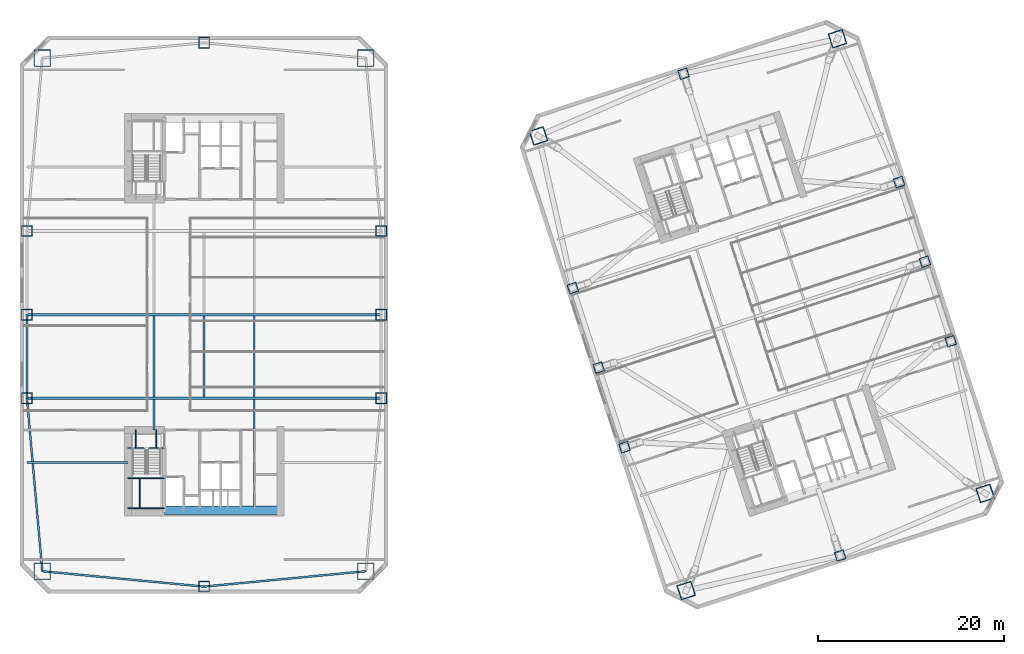
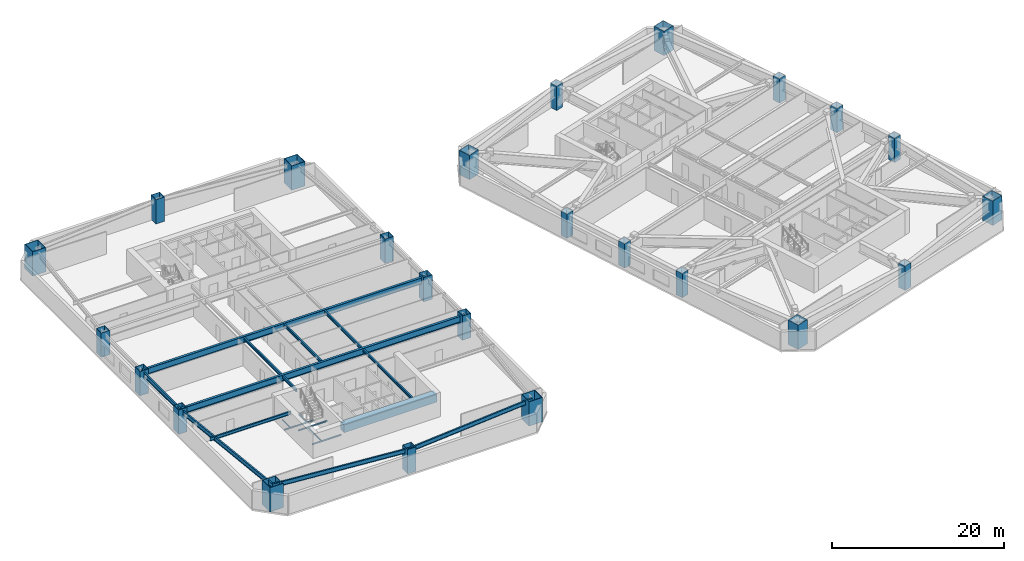
# One storey, part 1 of 18: 24 columns, 19 beams.
"""IFC4 building model written with IfcOpenShell, lengths in metres."""

from ifc_helpers import new_model, si_unit, direction, frame, origin, origin_2d, place, context, subcontext, project, spatial, rectangle, hollow_rectangle, i_section, extrude, material, material_profile, profile_set, type_object, element, save


model = new_model("IFC4")

# Units and contexts
model_context = context("Model", 3, precision=1e-05, world=origin(), true_north=direction((0.0, 1.0)))
body_context = subcontext(model_context, "Body", "Model", "MODEL_VIEW")
ifc_project = project(units=[si_unit("LENGTHUNIT", "METRE"), si_unit("AREAUNIT", "SQUARE_METRE"), si_unit("VOLUMEUNIT", "CUBIC_METRE"), si_unit("PLANEANGLEUNIT", "RADIAN"), si_unit("MASSUNIT", "GRAM", prefix="KILO")], contexts=[model_context])

# Site, building, storey
site_placement = place(None, origin())
site = spatial("IfcSite", under=ifc_project, at=site_placement, CompositionType="ELEMENT")
building_placement = place(site_placement, origin())
building = spatial("IfcBuilding", under=site, at=building_placement, Name="Qiaolan Cultural Towers", CompositionType="ELEMENT")
storey_placement = place(building_placement, frame((0.0, 0.0, 74.75)))
storey = spatial("IfcBuildingStorey", under=building, at=storey_placement, Name="L18", CompositionType="ELEMENT", Elevation=74.75)

# Columns
ifc_material_1 = material(Name="Steel Q355B", Category="steel")
ifc_material_profile_1 = material_profile(ifc_material_1, hollow_rectangle(XDim=1.0, YDim=1.0, WallThickness=0.035888671875, at=origin_2d()), Name="BOX1000x1000x36")
ifc_profile_set_1 = profile_set([ifc_material_profile_1], Name="Steel Q355B")
column_type_1 = type_object("IfcColumnType", Name="COL-BOX1000x1000x36", PredefinedType="COLUMN", material=ifc_profile_set_1)
for number, where, z_axis, x_axis, name in (
    (1, (75.234130859375, 19.739013671875, 0.0), (0.0, 0.0, 1.0), (0.951056516295, 0.309016994375, 0.0), "L18 T2 Perimeter Column PC-W1"),
    (2, (72.453125, 28.298583984375, 0.0), (0.0, 0.0, 1.0), (0.951056516295, 0.309016994375, 0.0), "L18 T2 Perimeter Column PC-W2"),
    (3, (69.671875, 36.858154296875, 0.0), (0.0, 0.0, 1.0), (0.951056516295, 0.309016994375, 0.0), "L18 T2 Perimeter Column PC-W3"),
    (4, (110.328125, 31.141845703125, 0.0), (0.0, 0.0, 1.0), (0.951056516295, 0.309016994375, 0.0), "L18 T2 Perimeter Column PC-E1"),
    (5, (107.546875, 39.701416015625, 0.0), (0.0, 0.0, 1.0), (0.951056516295, 0.309016994375, 0.0), "L18 T2 Perimeter Column PC-E2"),
    (6, (104.765869140625, 48.260986328125, 0.0), (0.0, 0.0, 1.0), (0.951056516295, 0.309016994375, 0.0), "L18 T2 Perimeter Column PC-E3"),
    (7, (98.420654296875, 8.083740234375, 0.0), (0.0, 0.0, 1.0), (0.951056516295, 0.309016994375, 0.0), "L18 T2 Perimeter Column PC-S0"),
    (8, (81.579345703125, 59.916259765625, 0.0), (0.0, 0.0, 1.0), (0.951056516295, 0.309016994375, 0.0), "L18 T2 Perimeter Column PC-N0"),
):
    element("IfcColumn", number, at=place(storey_placement, frame(where, z_axis=z_axis, x_axis=x_axis)), inside=storey, type_object=column_type_1, Name=name, PredefinedType="COLUMN", context=body_context, shape_type="SweptSolid", body=[
        extrude(hollow_rectangle(XDim=1.0, YDim=1.0, WallThickness=0.035888671875, at=origin_2d()), origin(), (0.0, 0.0, 1.0), 3.450927734375),
    ])
ifc_material_2 = material(Name="Steel Q390GJB", Category="steel")
ifc_material_profile_2 = material_profile(ifc_material_2, hollow_rectangle(XDim=1.14990234375, YDim=1.14990234375, WallThickness=0.0400390625, at=origin_2d()), Name="BOX1150x1150x40")
ifc_profile_set_2 = profile_set([ifc_material_profile_2], Name="Steel Q390GJB")
column_type_2 = type_object("IfcColumnType", Name="COL-BOX1150x1150x40", PredefinedType="COLUMN", material=ifc_profile_set_2)
for number, where, z_axis, x_axis, name in (
    (9, (10.949951171875, 25.0, 0.0), (0.0, 0.0, 1.0), (1.0, 0.0, 0.0), "L18 T1 Perimeter Column PC-W1"),
    (10, (10.949951171875, 34.0, 0.0), (0.0, 0.0, 1.0), (1.0, 0.0, 0.0), "L18 T1 Perimeter Column PC-W2"),
    (11, (10.949951171875, 43.0, 0.0), (0.0, 0.0, 1.0), (1.0, 0.0, 0.0), "L18 T1 Perimeter Column PC-W3"),
    (12, (49.050048828125, 25.0, 0.0), (0.0, 0.0, 1.0), (1.0, 0.0, 0.0), "L18 T1 Perimeter Column PC-E1"),
    (13, (49.050048828125, 34.0, 0.0), (0.0, 0.0, 1.0), (1.0, 0.0, 0.0), "L18 T1 Perimeter Column PC-E2"),
    (14, (49.050048828125, 43.0, 0.0), (0.0, 0.0, 1.0), (1.0, 0.0, 0.0), "L18 T1 Perimeter Column PC-E3"),
    (15, (30.0, 4.75, 0.0), (0.0, 0.0, 1.0), (1.0, 0.0, 0.0), "L18 T1 Perimeter Column PC-S0"),
    (16, (30.0, 63.25, 0.0), (0.0, 0.0, 1.0), (1.0, 0.0, 0.0), "L18 T1 Perimeter Column PC-N0"),
):
    element("IfcColumn", number, at=place(storey_placement, frame(where, z_axis=z_axis, x_axis=x_axis)), inside=storey, type_object=column_type_2, Name=name, PredefinedType="COLUMN", context=body_context, shape_type="SweptSolid", body=[
        extrude(hollow_rectangle(XDim=1.14990234375, YDim=1.14990234375, WallThickness=0.0400390625, at=origin_2d()), origin(), (0.0, 0.0, 1.0), 3.450927734375),
    ])
ifc_material_3 = material(Name="Steel Q420GJB", Category="steel")
ifc_material_profile_3 = material_profile(ifc_material_3, hollow_rectangle(XDim=1.60009765625, YDim=1.60009765625, WallThickness=0.054931640625, at=origin_2d()), Name="BOX1600x1600x55")
ifc_profile_set_3 = profile_set([ifc_material_profile_3], Name="Steel Q420GJB")
column_type_3 = type_object("IfcColumnType", Name="COL-BOX1600x1600x55", PredefinedType="COLUMN", material=ifc_profile_set_3)
for number, where, z_axis, x_axis, name in (
    (17, (81.862548828125, 4.32275390625, 0.0), (0.0, 0.0, 1.0), (0.951056516295, 0.309016994375, 0.0), "L18 T2 Perimeter Column MC-SW"),
    (18, (114.027099609375, 14.77392578125, 0.0), (0.0, 0.0, 1.0), (0.951056516295, 0.309016994375, 0.0), "L18 T2 Perimeter Column MC-SE"),
    (19, (98.137451171875, 63.67724609375, 0.0), (0.0, 0.0, 1.0), (0.951056516295, 0.309016994375, 0.0), "L18 T2 Perimeter Column MC-NE"),
    (20, (65.972900390625, 53.22607421875, 0.0), (0.0, 0.0, 1.0), (0.951056516295, 0.309016994375, 0.0), "L18 T2 Perimeter Column MC-NW"),
):
    element("IfcColumn", number, at=place(storey_placement, frame(where, z_axis=z_axis, x_axis=x_axis)), inside=storey, type_object=column_type_3, Name=name, PredefinedType="COLUMN", context=body_context, shape_type="SweptSolid", body=[
        extrude(hollow_rectangle(XDim=1.60009765625, YDim=1.60009765625, WallThickness=0.054931640625, at=origin_2d()), origin(), (0.0, 0.0, 1.0), 3.450927734375),
    ])
ifc_material_4 = material(Name="Steel Q420GJB", Category="steel")
ifc_material_profile_4 = material_profile(ifc_material_4, hollow_rectangle(XDim=1.800048828125, YDim=1.800048828125, WallThickness=0.06005859375, at=origin_2d()), Name="BOX1800x1800x60")
ifc_profile_set_4 = profile_set([ifc_material_profile_4], Name="Steel Q420GJB")
column_type_4 = type_object("IfcColumnType", Name="COL-BOX1800x1800x60", PredefinedType="COLUMN", material=ifc_profile_set_4)
for number, where, z_axis, x_axis, name in (
    (21, (12.60009765625, 6.39990234375, 0.0), (0.0, 0.0, 1.0), (1.0, 0.0, 0.0), "L18 T1 Perimeter Column MC-SW"),
    (22, (47.39990234375, 6.39990234375, 0.0), (0.0, 0.0, 1.0), (1.0, 0.0, 0.0), "L18 T1 Perimeter Column MC-SE"),
    (23, (47.39990234375, 61.60009765625, 0.0), (0.0, 0.0, 1.0), (1.0, 0.0, 0.0), "L18 T1 Perimeter Column MC-NE"),
    (24, (12.60009765625, 61.60009765625, 0.0), (0.0, 0.0, 1.0), (1.0, 0.0, 0.0), "L18 T1 Perimeter Column MC-NW"),
):
    element("IfcColumn", number, at=place(storey_placement, frame(where, z_axis=z_axis, x_axis=x_axis)), inside=storey, type_object=column_type_4, Name=name, PredefinedType="COLUMN", context=body_context, shape_type="SweptSolid", body=[
        extrude(hollow_rectangle(XDim=1.800048828125, YDim=1.800048828125, WallThickness=0.06005859375, at=origin_2d()), origin(), (0.0, 0.0, 1.0), 3.450927734375),
    ])

# Beams
ifc_material_5 = material(Name="Steel Q355B", Category="steel")
ifc_material_profile_5 = material_profile(ifc_material_5, i_section(OverallWidth=0.300048828125, OverallDepth=0.89990234375, WebThickness=0.01611328125, FlangeThickness=0.028076171875, at=origin_2d()), Name="HN900x300x16x28")
ifc_profile_set_5 = profile_set([ifc_material_profile_5], Name="Steel Q355B")
beam_type_1 = type_object("IfcBeamType", Name="BM-HN900x300x16x28", PredefinedType="BEAM", material=ifc_profile_set_5)
for number, where, z_axis, x_axis, name in (
    (25, (10.949951171875, 25.0, 2.739990234375), (1.0, 0.0, 0.0), (0.0, 1.0, 0.0), "L18 T1 Primary Transverse Girder V1"),
    (26, (10.949951171875, 34.0, 2.739990234375), (1.0, 0.0, 0.0), (0.0, 1.0, 0.0), "L18 T1 Primary Transverse Girder V2"),
):
    element("IfcBeam", number, at=place(storey_placement, frame(where, z_axis=z_axis, x_axis=x_axis)), inside=storey, type_object=beam_type_1, Name=name, PredefinedType="BEAM", context=body_context, shape_type="SweptSolid", body=[
        extrude(i_section(OverallWidth=0.300048828125, OverallDepth=0.89990234375, WebThickness=0.01611328125, FlangeThickness=0.028076171875, at=origin_2d()), origin(), (0.0, 0.0, 1.0), 38.10009765625),
    ])
ifc_material_6 = material(Name="Steel Q355B", Category="steel")
ifc_material_profile_6 = material_profile(ifc_material_6, i_section(OverallWidth=0.199951171875, OverallDepth=0.39990234375, WebThickness=0.008056640625, FlangeThickness=0.012939453125, at=origin_2d()), Name="HN400x200x8x13")
ifc_profile_set_6 = profile_set([ifc_material_profile_6], Name="Steel Q355B")
beam_type_2 = type_object("IfcBeamType", Name="BM-JST-HN400x200x8x13", PredefinedType="JOIST", material=ifc_profile_set_6)
beam_1_placement = place(storey_placement, frame((24.60009765625, 21.60009765625, 2.989990234375), z_axis=(0.0, 1.0, 0.0), x_axis=(-1.0, 0.0, 0.0)))
element("IfcBeam", 27, at=beam_1_placement, inside=storey, type_object=beam_type_2, Name="L18 T1 Secondary Floor Joist U1-1", PredefinedType="JOIST", context=body_context, shape_type="SweptSolid", body=[
    extrude(i_section(OverallWidth=0.199951171875, OverallDepth=0.39990234375, WebThickness=0.008056640625, FlangeThickness=0.012939453125, at=origin_2d()), origin(), (0.0, 0.0, 1.0), 3.25),
])
for number, where, z_axis, x_axis, name in (
    (28, (24.60009765625, 25.14990234375, 2.989990234375), (0.0, 1.0, 0.0), (-1.0, 0.0, 0.0), "L18 T1 Secondary Floor Joist U1-2"),
    (29, (30.0, 25.14990234375, 2.989990234375), (0.0, 1.0, 0.0), (-1.0, 0.0, 0.0), "L18 T1 Secondary Floor Joist U2-2"),
):
    element("IfcBeam", number, at=place(storey_placement, frame(where, z_axis=z_axis, x_axis=x_axis)), inside=storey, type_object=beam_type_2, Name=name, PredefinedType="JOIST", context=body_context, shape_type="SweptSolid", body=[
        extrude(i_section(OverallWidth=0.199951171875, OverallDepth=0.39990234375, WebThickness=0.008056640625, FlangeThickness=0.012939453125, at=origin_2d()), origin(), (0.0, 0.0, 1.0), 8.7001953125),
    ])
beam_2_placement = place(storey_placement, frame((35.39990234375, 13.39990234375, 2.989990234375), z_axis=(0.0, 1.0, 0.0), x_axis=(-1.0, 0.0, 0.0)))
element("IfcBeam", 30, at=beam_2_placement, inside=storey, type_object=beam_type_2, Name="L18 T1 Secondary Floor Joist U3-1", PredefinedType="JOIST", context=body_context, shape_type="SweptSolid", body=[
    extrude(i_section(OverallWidth=0.199951171875, OverallDepth=0.39990234375, WebThickness=0.008056640625, FlangeThickness=0.012939453125, at=origin_2d()), origin(), (0.0, 0.0, 1.0), 11.4501953125),
])
beam_3_placement = place(storey_placement, frame((35.39990234375, 25.14990234375, 2.989990234375), z_axis=(0.0, 1.0, 0.0), x_axis=(-1.0, 0.0, 0.0)))
element("IfcBeam", 31, at=beam_3_placement, inside=storey, type_object=beam_type_2, Name="L18 T1 Secondary Floor Joist U3-2", PredefinedType="JOIST", context=body_context, shape_type="SweptSolid", body=[
    extrude(i_section(OverallWidth=0.199951171875, OverallDepth=0.39990234375, WebThickness=0.008056640625, FlangeThickness=0.012939453125, at=origin_2d()), origin(), (0.0, 0.0, 1.0), 8.7001953125),
])
ifc_material_7 = material(Name="Steel Q355B", Category="steel")
ifc_material_profile_7 = material_profile(ifc_material_7, i_section(OverallWidth=0.199951171875, OverallDepth=0.449951171875, WebThickness=0.009033203125, FlangeThickness=0.013916015625, at=origin_2d()), Name="HN450x200x9x14")
ifc_profile_set_7 = profile_set([ifc_material_profile_7], Name="Steel Q355B")
beam_type_3 = type_object("IfcBeamType", Name="BM-LNT-HN450x200x9x14", PredefinedType="LINTEL", material=ifc_profile_set_7)
beam_4_placement = place(storey_placement, frame((21.800048828125, 18.10009765625, 2.965087890625), z_axis=(-1.0, 0.0, 0.0), x_axis=(0.0, -1.0, 0.0)))
element("IfcBeam", 32, at=beam_4_placement, inside=storey, type_object=beam_type_3, Name="L18 T1 Core Flank Tie Lintel WS", PredefinedType="LINTEL", context=body_context, shape_type="SweptSolid", body=[
    extrude(i_section(OverallWidth=0.199951171875, OverallDepth=0.449951171875, WebThickness=0.009033203125, FlangeThickness=0.013916015625, at=origin_2d()), origin(), (0.0, 0.0, 1.0), 10.85009765625),
])
ifc_material_8 = material(Name="Concrete C50", Category="concrete")
ifc_material_profile_8 = material_profile(ifc_material_8, rectangle(XDim=0.89990234375, YDim=1.10009765625, at=origin_2d()), Name="RC900x1100")
ifc_profile_set_8 = profile_set([ifc_material_profile_8], Name="Concrete C50")
beam_type_4 = type_object("IfcBeamType", Name="BM-RC900x1100", PredefinedType="BEAM", material=ifc_profile_set_8)
beam_5_placement = place(storey_placement, frame((25.719970703125, 12.949951171875, 2.639892578125), z_axis=(1.0, 0.0, 0.0), x_axis=(0.0, 1.0, 0.0)))
element("IfcBeam", 33, at=beam_5_placement, inside=storey, type_object=beam_type_4, Name="L18 T1 Core Header Girder S", PredefinedType="BEAM", context=body_context, shape_type="SweptSolid", body=[
    extrude(rectangle(XDim=0.89990234375, YDim=1.10009765625, at=origin_2d()), origin(), (0.0, 0.0, 1.0), 12.47998046875),
])
ifc_material_9 = material(Name="Steel Q355B", Category="steel")
ifc_material_profile_9 = material_profile(ifc_material_9, i_section(OverallWidth=0.199951171875, OverallDepth=0.60009765625, WebThickness=0.010986328125, FlangeThickness=0.01708984375, at=origin_2d()), Name="HN600x200x11x17")
ifc_profile_set_9 = profile_set([ifc_material_profile_9], Name="Steel Q355B")
beam_type_5 = type_object("IfcBeamType", Name="BM-SPD-HN600x200x11x17", PredefinedType="SPANDREL", material=ifc_profile_set_9)
for number, where, z_axis, x_axis, name in (
    (34, (12.60009765625, 6.39990234375, 2.889892578125), (0.995534437156, -0.094399070104, 0.0), (0.094399070104, 0.995534437156, 0.0), "L18 T1 Perimeter Spandrel Beam 1"),
    (35, (30.0, 4.75, 2.889892578125), (0.995534437156, 0.094399070104, 0.0), (-0.094399070104, 0.995534437156, 0.0), "L18 T1 Perimeter Spandrel Beam 2"),
):
    element("IfcBeam", number, at=place(storey_placement, frame(where, z_axis=z_axis, x_axis=x_axis)), inside=storey, type_object=beam_type_5, Name=name, PredefinedType="SPANDREL", context=body_context, shape_type="SweptSolid", body=[
        extrude(i_section(OverallWidth=0.199951171875, OverallDepth=0.60009765625, WebThickness=0.010986328125, FlangeThickness=0.01708984375, at=origin_2d()), origin(), (0.0, 0.0, 1.0), 17.47802734375),
    ])
beam_6_placement = place(storey_placement, frame((10.949951171875, 34.0, 2.889892578125), z_axis=(0.0, -1.0, 0.0), x_axis=(1.0, 0.0, 0.0)))
element("IfcBeam", 36, at=beam_6_placement, inside=storey, type_object=beam_type_5, Name="L18 T1 Perimeter Spandrel Beam 11", PredefinedType="SPANDREL", context=body_context, shape_type="SweptSolid", body=[
    extrude(i_section(OverallWidth=0.199951171875, OverallDepth=0.60009765625, WebThickness=0.010986328125, FlangeThickness=0.01708984375, at=origin_2d()), origin(), (0.0, 0.0, 1.0), 9.0),
])
beam_7_placement = place(storey_placement, frame((10.949951171875, 25.0, 2.889892578125), z_axis=(0.08837000091, -0.996087718496, 0.0), x_axis=(0.996087718496, 0.08837000091, 0.0)))
element("IfcBeam", 37, at=beam_7_placement, inside=storey, type_object=beam_type_5, Name="L18 T1 Perimeter Spandrel Beam 12", PredefinedType="SPANDREL", context=body_context, shape_type="SweptSolid", body=[
    extrude(i_section(OverallWidth=0.199951171875, OverallDepth=0.60009765625, WebThickness=0.010986328125, FlangeThickness=0.01708984375, at=origin_2d()), origin(), (0.0, 0.0, 1.0), 18.673095703125),
])
ifc_material_10 = material(Name="Steel Q355B", Category="steel")
ifc_material_profile_10 = material_profile(ifc_material_10, i_section(OverallWidth=0.10009765625, OverallDepth=0.199951171875, WebThickness=0.005615234375, FlangeThickness=0.008056640625, at=origin_2d()), Name="HN200x100x5.5x8")
ifc_profile_set_10 = profile_set([ifc_material_profile_10], Name="Steel Q355B")
beam_type_6 = type_object("IfcBeamType", Name="BM-STTRIM-200", PredefinedType="BEAM", material=ifc_profile_set_10)
beam_8_placement = place(storey_placement, frame((21.800048828125, 19.659912109375, -0.4599609375), z_axis=(1.0, 0.0, 0.0), x_axis=(0.0, 1.0, 0.0)))
element("IfcBeam", 38, at=beam_8_placement, inside=storey, type_object=beam_type_6, Name="L18 ST-W1 Floor Landing Header Beam", PredefinedType="BEAM", context=body_context, shape_type="SweptSolid", body=[
    extrude(i_section(OverallWidth=0.10009765625, OverallDepth=0.199951171875, WebThickness=0.005615234375, FlangeThickness=0.008056640625, at=origin_2d()), origin(), (0.0, 0.0, 1.0), 3.919921875),
])
for number, where, z_axis, x_axis, name in (
    (39, (22.64990234375, 21.60009765625, -0.4599609375), (0.0, -1.0, 0.0), (1.0, 0.0, 0.0), "L18 ST-W1 Floor Landing Stringer 1"),
    (40, (24.85009765625, 21.60009765625, -0.4599609375), (0.0, -1.0, 0.0), (1.0, 0.0, 0.0), "L18 ST-W1 Floor Landing Stringer 2"),
):
    element("IfcBeam", number, at=place(storey_placement, frame(where, z_axis=z_axis, x_axis=x_axis)), inside=storey, type_object=beam_type_6, Name=name, PredefinedType="BEAM", context=body_context, shape_type="SweptSolid", body=[
        extrude(i_section(OverallWidth=0.10009765625, OverallDepth=0.199951171875, WebThickness=0.005615234375, FlangeThickness=0.008056640625, at=origin_2d()), origin(), (0.0, 0.0, 1.0), 1.940185546875),
    ])
for number, where, z_axis, x_axis, name in (
    (41, (21.800048828125, 16.411376953125, 1.425048828125), (1.0, 0.0, 0.0), (0.0, 1.0, 0.0), "L18 ST-W1 Stair Landing Support Beam 1-1"),
    (42, (21.800048828125, 13.179931640625, 1.425048828125), (1.0, 0.0, 0.0), (0.0, 1.0, 0.0), "L18 ST-W1 Stair Landing Support Beam 1-2"),
):
    element("IfcBeam", number, at=place(storey_placement, frame(where, z_axis=z_axis, x_axis=x_axis)), inside=storey, type_object=beam_type_6, Name=name, PredefinedType="BEAM", context=body_context, shape_type="SweptSolid", body=[
        extrude(i_section(OverallWidth=0.10009765625, OverallDepth=0.199951171875, WebThickness=0.005615234375, FlangeThickness=0.008056640625, at=origin_2d()), origin(), (0.0, 0.0, 1.0), 3.919921875),
    ])
beam_9_placement = place(storey_placement, frame((23.070068359375, 16.411376953125, 1.425048828125), z_axis=(0.0, -1.0, 0.0), x_axis=(1.0, 0.0, 0.0)))
element("IfcBeam", 43, at=beam_9_placement, inside=storey, type_object=beam_type_6, Name="L18 ST-W1 Stair Landing Trimmer 1", PredefinedType="BEAM", context=body_context, shape_type="SweptSolid", body=[
    extrude(i_section(OverallWidth=0.10009765625, OverallDepth=0.199951171875, WebThickness=0.005615234375, FlangeThickness=0.008056640625, at=origin_2d()), origin(), (0.0, 0.0, 1.0), 3.2314453125),
])

save(model, "model.ifc")
